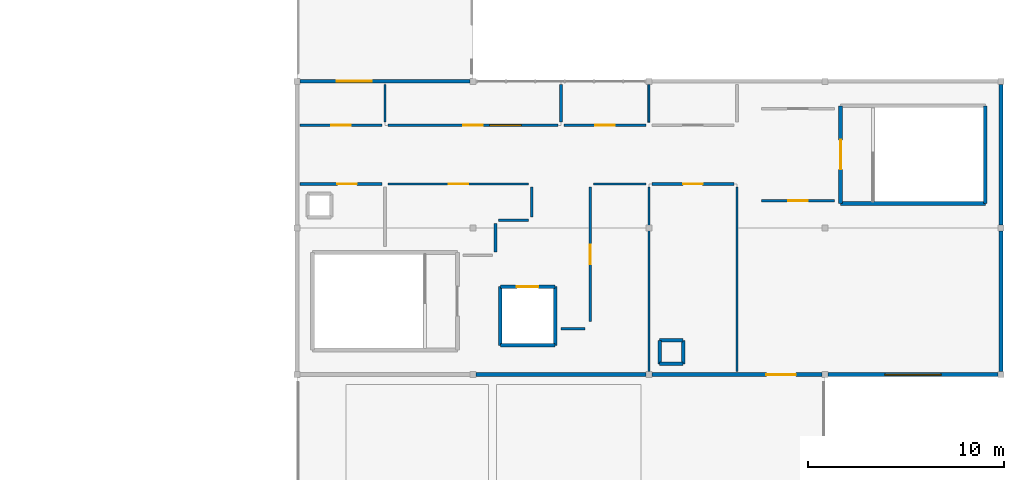
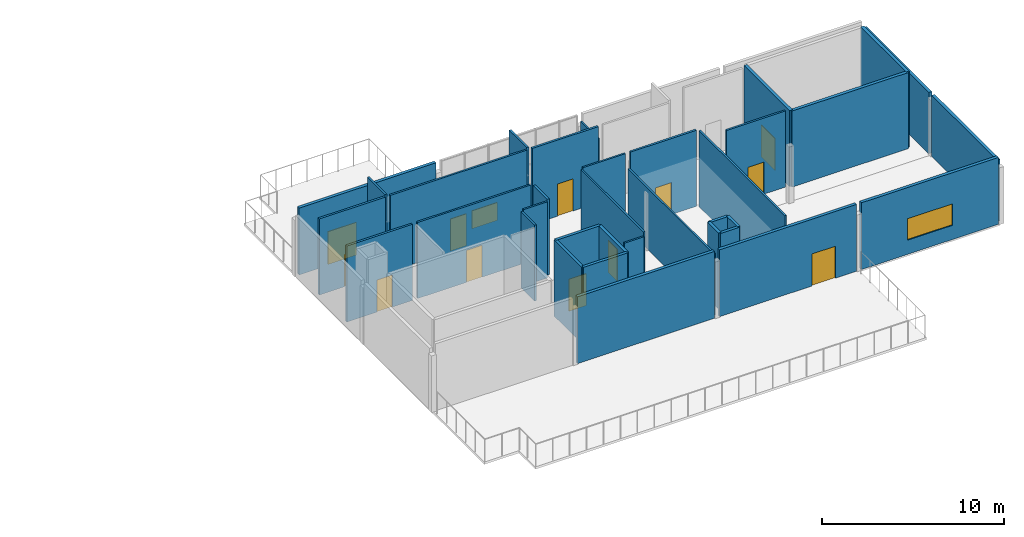
# One storey, part 6 of 8: 35 walls, 12 doors, 2 windows, 14 openings.
"""IFC4 building model written with IfcOpenShell, lengths in metres."""

from ifc_helpers import new_model, si_unit, direction, frame, frame_2d, origin, place, context, subcontext, project, spatial, rectangle, extrude, material, layer, layer_set, type_object, element, fill, save


model = new_model("IFC4")

# Units and contexts
model_context = context("Model", 3, precision=1e-05, world=origin(), true_north=direction((0.0, 1.0)))
body_context = subcontext(model_context, "Body", "Model", "MODEL_VIEW")
ifc_project = project(units=[si_unit("LENGTHUNIT", "METRE"), si_unit("AREAUNIT", "SQUARE_METRE"), si_unit("VOLUMEUNIT", "CUBIC_METRE"), si_unit("PLANEANGLEUNIT", "RADIAN"), si_unit("MASSUNIT", "GRAM", prefix="KILO")], contexts=[model_context])

# Site, building, storey
site_placement = place(None, origin())
site = spatial("IfcSite", under=ifc_project, at=site_placement, CompositionType="ELEMENT")
building_placement = place(site_placement, origin())
building = spatial("IfcBuilding", under=site, at=building_placement, Name="Marnridge Secondary College", CompositionType="ELEMENT")
storey_placement = place(building_placement, frame((0.0, 0.0, 19.89990234375)))
storey = spatial("IfcBuildingStorey", under=building, at=storey_placement, Name="L05", CompositionType="ELEMENT", Elevation=19.89990234375)

# Walls
ifc_material_1 = material(Name="Concrete C40/50 (AS 3600 N40, 40 MPa)", Category="concrete")
ifc_layer_1 = layer(ifc_material_1, 0.199951171875)
ifc_layer_set_1 = layer_set([ifc_layer_1], Name="WT-CORE-RC200")
wall_type_1 = type_object("IfcWallType", Name="WT-CORE-RC200", PredefinedType="SHEAR", material=ifc_layer_set_1)
wall_1_placement = place(storey_placement, frame((81.800048828125, 61.25, 0.0), z_axis=(0.0, 0.0, 1.0), x_axis=(1.0, 0.0, 0.0)))
element("IfcWall", 1, at=wall_1_placement, inside=storey, type_object=wall_type_1, Name="Stair core shear wall WC-L05-0293", PredefinedType="SHEAR", context=body_context, shape_type="SweptSolid", body=[
    extrude(rectangle(XDim=7.39990234375, YDim=0.199951171875, at=frame_2d((3.699951171875, 0.0))), origin(), (0.0, 0.0, 1.0), 5.10009765625),
])
wall_2_placement = place(storey_placement, frame((89.199951171875, 61.25, 0.0), z_axis=(0.0, 0.0, 1.0), x_axis=(0.0, 1.0, 0.0)))
element("IfcWall", 2, at=wall_2_placement, inside=storey, type_object=wall_type_1, Name="Stair core shear wall WC-L05-0294", PredefinedType="SHEAR", context=body_context, shape_type="SweptSolid", body=[
    extrude(rectangle(XDim=5.0, YDim=0.199951171875, at=frame_2d((2.5, 0.0))), origin(), (0.0, 0.0, 1.0), 5.10009765625),
])

# Wall, opening, door
wall_3_placement = place(storey_placement, frame((81.800048828125, 66.25, 0.0), z_axis=(0.0, 0.0, 1.0), x_axis=(0.0, -1.0, 0.0)))
wall_3 = element("IfcWall", 3, at=wall_3_placement, inside=storey, type_object=wall_type_1, Name="Stair core shear wall WC-L05-0296", PredefinedType="SHEAR", context=body_context, shape_type="SweptSolid", body=[
    extrude(rectangle(XDim=5.0, YDim=0.199951171875, at=frame_2d((2.5, 0.0))), origin(), (0.0, 0.0, 1.0), 5.10009765625),
])
opening_1_placement = place(wall_3_placement, frame((1.75, 0.0, 0.0)))
opening_1 = element("IfcOpeningElement", 4, at=opening_1_placement, cuts=wall_3, Name="Opening DC-L05-012", PredefinedType="OPENING", context=body_context, shape_type="SweptSolid", body=[
    extrude(rectangle(XDim=1.5, YDim=2.14990234375, at=frame_2d((0.75, 1.074951171875))), frame((0.0, 0.10986328125, 0.0), z_axis=(0.0, -1.0, 0.0), x_axis=(1.0, 0.0, 0.0)), (0.0, 0.0, 1.0), 0.219970703125),
])
ifc_material_2 = material(Name="Fire-rated solid-core timber doorset", Category="wood")
door_type_1 = type_object("IfcDoorType", Name="DT-CORE-FD150", OperationType="DOUBLE_DOOR_SINGLE_SWING", PredefinedType="DOOR", material=ifc_material_2)
door_1_placement = place(opening_1_placement, origin())
door_1 = element("IfcDoor", 5, at=door_1_placement, inside=storey, type_object=door_type_1, Name="Fire stair door DC-L05-012", OperationType="DOUBLE_DOOR_SINGLE_SWING", OverallHeight=2.14990234375, OverallWidth=1.5, PredefinedType="DOOR", context=body_context, shape_type="SweptSolid", body=[
    extrude(rectangle(XDim=1.5, YDim=2.14990234375, at=frame_2d((0.75, 1.074951171875))), frame((0.0, 0.02490234375, 0.0), z_axis=(0.0, -1.0, 0.0), x_axis=(1.0, 0.0, 0.0)), (0.0, 0.0, 1.0), 0.050048828125),
])
fill(opening_1, door_1)

# Wall, opening, window
ifc_material_3 = material(Name="Cross-laminated timber CL5", Category="wood")
ifc_layer_2 = layer(ifc_material_3, 0.195068359375)
ifc_layer_set_2 = layer_set([ifc_layer_2], Name="WT-EXT-CLT195")
wall_type_2 = type_object("IfcWallType", Name="WT-EXT-CLT195", PredefinedType="SOLIDWALL", material=ifc_layer_set_2)
wall_4_placement = place(storey_placement, frame((89.846435546875, 52.5, 0.0), z_axis=(0.0, 0.0, 1.0), x_axis=(-1.0, 0.0, 0.0)))
wall_4 = element("IfcWall", 6, at=wall_4_placement, inside=storey, type_object=wall_type_2, Name="Exterior wall WE-L05-0212", PredefinedType="SOLIDWALL", context=body_context, shape_type="SweptSolid", body=[
    extrude(rectangle(XDim=8.69287109375, YDim=0.195068359375, at=frame_2d((4.346435546875, 0.0))), origin(), (0.0, 0.0, 1.0), 4.48046875),
])
opening_2_placement = place(wall_4_placement, frame((2.906494140625, 0.0, 0.949951171875)))
opening_2 = element("IfcOpeningElement", 7, at=opening_2_placement, cuts=wall_4, Name="Opening WN-L05-0040", PredefinedType="OPENING", context=body_context, shape_type="SweptSolid", body=[
    extrude(rectangle(XDim=2.8798828125, YDim=1.43994140625, at=frame_2d((1.43994140625, 0.719970703125))), frame((0.0, 0.107421875, 0.0), z_axis=(0.0, -1.0, 0.0), x_axis=(1.0, 0.0, 0.0)), (0.0, 0.0, 1.0), 0.215087890625),
])
ifc_material_4 = material(Name="Solar-control low-E double glazing", Category="glass")
window_type_1 = type_object("IfcWindowType", Name="WN-EXT-V18", PartitioningType="DOUBLE_PANEL_VERTICAL", PredefinedType="WINDOW", material=ifc_material_4)
window_1_placement = place(opening_2_placement, origin())
window_1 = element("IfcWindow", 8, at=window_1_placement, inside=storey, type_object=window_type_1, Name="Facade window WN-L05-0040", OverallHeight=1.43994140625, OverallWidth=2.8798828125, PartitioningType="DOUBLE_PANEL_VERTICAL", PredefinedType="WINDOW", context=body_context, shape_type="SweptSolid", body=[
    extrude(rectangle(XDim=2.8798828125, YDim=1.43994140625, at=frame_2d((1.43994140625, 0.719970703125))), frame((0.0, 0.030029296875, 0.0), z_axis=(0.0, -1.0, 0.0), x_axis=(1.0, 0.0, 0.0)), (0.0, 0.0, 1.0), 0.06005859375),
])
fill(opening_2, window_1)

# Wall, opening, door
wall_5_placement = place(storey_placement, frame((80.846435546875, 52.5, 0.0), z_axis=(0.0, 0.0, 1.0), x_axis=(-1.0, 0.0, 0.0)))
wall_5 = element("IfcWall", 9, at=wall_5_placement, inside=storey, type_object=wall_type_2, Name="Exterior wall WE-L05-0213", PredefinedType="SOLIDWALL", context=body_context, shape_type="SweptSolid", body=[
    extrude(rectangle(XDim=8.69287109375, YDim=0.195068359375, at=frame_2d((4.346435546875, 0.0))), origin(), (0.0, 0.0, 1.0), 4.48046875),
])
opening_3_placement = place(wall_5_placement, frame((1.336181640625, 0.0, 0.0)))
opening_3 = element("IfcOpeningElement", 10, at=opening_3_placement, cuts=wall_5, Name="Opening DE-L05-046", PredefinedType="OPENING", context=body_context, shape_type="SweptSolid", body=[
    extrude(rectangle(XDim=1.5, YDim=2.14990234375, at=frame_2d((0.75, 1.074951171875))), frame((0.0, 0.107421875, 0.0), z_axis=(0.0, -1.0, 0.0), x_axis=(1.0, 0.0, 0.0)), (0.0, 0.0, 1.0), 0.215087890625),
])
ifc_material_5 = material(Name="Thermally broken timber-aluminium terrace doorset", Category="wood")
door_type_2 = type_object("IfcDoorType", Name="DT-EXT-TER150", OperationType="DOUBLE_DOOR_SINGLE_SWING", PredefinedType="DOOR", material=ifc_material_5)
door_2_placement = place(opening_3_placement, origin())
door_2 = element("IfcDoor", 11, at=door_2_placement, inside=storey, type_object=door_type_2, Name="Play deck access door DE-L05-046", OperationType="DOUBLE_DOOR_SINGLE_SWING", OverallHeight=2.14990234375, OverallWidth=1.5, PredefinedType="DOOR", context=body_context, shape_type="SweptSolid", body=[
    extrude(rectangle(XDim=1.5, YDim=2.14990234375, at=frame_2d((0.75, 1.074951171875))), frame((0.0, 0.02490234375, 0.0), z_axis=(0.0, -1.0, 0.0), x_axis=(1.0, 0.0, 0.0)), (0.0, 0.0, 1.0), 0.050048828125),
])
fill(opening_3, door_2)

# Wall
wall_6_placement = place(storey_placement, frame((71.846435546875, 52.5, 0.0), z_axis=(0.0, 0.0, 1.0), x_axis=(-1.0, 0.0, 0.0)))
element("IfcWall", 12, at=wall_6_placement, inside=storey, type_object=wall_type_2, Name="Exterior wall WE-L05-0214", PredefinedType="SOLIDWALL", context=body_context, shape_type="SweptSolid", body=[
    extrude(rectangle(XDim=8.69287109375, YDim=0.195068359375, at=frame_2d((4.346435546875, 0.0))), origin(), (0.0, 0.0, 1.0), 4.48046875),
])

# Wall, opening, door
wall_7_placement = place(storey_placement, frame((54.153564453125, 67.5, 0.0), z_axis=(0.0, 0.0, 1.0), x_axis=(1.0, 0.0, 0.0)))
wall_7 = element("IfcWall", 13, at=wall_7_placement, inside=storey, type_object=wall_type_2, Name="Exterior wall WE-L05-0218", PredefinedType="SOLIDWALL", context=body_context, shape_type="SweptSolid", body=[
    extrude(rectangle(XDim=8.69287109375, YDim=0.195068359375, at=frame_2d((4.346435546875, 0.0))), origin(), (0.0, 0.0, 1.0), 4.48046875),
])
opening_4_placement = place(wall_7_placement, frame((1.8818359375, 0.0, 0.0)))
opening_4 = element("IfcOpeningElement", 14, at=opening_4_placement, cuts=wall_7, Name="Opening DE-L05-047", PredefinedType="OPENING", context=body_context, shape_type="SweptSolid", body=[
    extrude(rectangle(XDim=1.800048828125, YDim=2.199951171875, at=frame_2d((0.89990234375, 1.10009765625))), frame((0.0, 0.107421875, 0.0), z_axis=(0.0, -1.0, 0.0), x_axis=(1.0, 0.0, 0.0)), (0.0, 0.0, 1.0), 0.215087890625),
])
ifc_material_6 = material(Name="Thermally broken timber-aluminium terrace doorset", Category="wood")
door_type_3 = type_object("IfcDoorType", Name="DT-EXT-TER180", OperationType="DOUBLE_DOOR_SINGLE_SWING", PredefinedType="DOOR", material=ifc_material_6)
door_3_placement = place(opening_4_placement, origin())
door_3 = element("IfcDoor", 15, at=door_3_placement, inside=storey, type_object=door_type_3, Name="Play deck access door DE-L05-047", OperationType="DOUBLE_DOOR_SINGLE_SWING", OverallHeight=2.199951171875, OverallWidth=1.800048828125, PredefinedType="DOOR", context=body_context, shape_type="SweptSolid", body=[
    extrude(rectangle(XDim=1.800048828125, YDim=2.199951171875, at=frame_2d((0.89990234375, 1.10009765625))), frame((0.0, 0.02490234375, 0.0), z_axis=(0.0, -1.0, 0.0), x_axis=(1.0, 0.0, 0.0)), (0.0, 0.0, 1.0), 0.050048828125),
])
fill(opening_4, door_3)

# Walls
for number, where, z_axis, x_axis, name in (
    (16, (90.0, 67.346435546875, 0.0), (0.0, 0.0, 1.0), (0.0, -1.0, 0.0), "Exterior wall WE-L05-0221"),
    (17, (90.0, 59.846435546875, 0.0), (0.0, 0.0, 1.0), (0.0, -1.0, 0.0), "Exterior wall WE-L05-0222"),
):
    element("IfcWall", number, at=place(storey_placement, frame(where, z_axis=z_axis, x_axis=x_axis)), inside=storey, type_object=wall_type_2, Name=name, PredefinedType="SOLIDWALL", context=body_context, shape_type="SweptSolid", body=[
        extrude(rectangle(XDim=7.19287109375, YDim=0.195068359375, at=frame_2d((3.596435546875, 0.0))), origin(), (0.0, 0.0, 1.0), 4.112060546875),
    ])

# Wall, opening, door
ifc_material_7 = material(Name="Acoustic plasterboard partition Rw45", Category="gypsum")
ifc_layer_3 = layer(ifc_material_7, 0.1201171875)
ifc_layer_set_3 = layer_set([ifc_layer_3], Name="WT-PART-AC120")
wall_type_3 = type_object("IfcWallType", Name="WT-PART-AC120", PredefinedType="PARTITIONING", material=ifc_layer_set_3)
wall_8_placement = place(storey_placement, frame((81.5, 61.39990234375, 0.0), z_axis=(0.0, 0.0, 1.0), x_axis=(-1.0, 0.0, 0.0)))
wall_8 = element("IfcWall", 18, at=wall_8_placement, inside=storey, type_object=wall_type_3, Name="Interior partition WP-L05-0467", PredefinedType="PARTITIONING", context=body_context, shape_type="SweptSolid", body=[
    extrude(rectangle(XDim=3.739990234375, YDim=0.1201171875, at=frame_2d((1.8701171875, 0.0))), origin(), (0.0, 0.0, 1.0), 5.10009765625),
])
opening_5_placement = place(wall_8_placement, frame((1.3701171875, 0.0, 0.0)))
opening_5 = element("IfcOpeningElement", 19, at=opening_5_placement, cuts=wall_8, Name="Opening DI-L05-0172", PredefinedType="OPENING", context=body_context, shape_type="SweptSolid", body=[
    extrude(rectangle(XDim=1.0, YDim=2.14990234375, at=frame_2d((0.5, 1.074951171875))), frame((0.0, 0.070068359375, 0.0), z_axis=(0.0, -1.0, 0.0), x_axis=(1.0, 0.0, 0.0)), (0.0, 0.0, 1.0), 0.14013671875),
])
ifc_material_8 = material(Name="Solid-core acoustic hoop-pine classroom doorset", Category="wood")
door_type_4 = type_object("IfcDoorType", Name="DT-CLS-100", OperationType="NOTDEFINED", PredefinedType="DOOR", material=ifc_material_8)
door_4_placement = place(opening_5_placement, origin())
door_4 = element("IfcDoor", 20, at=door_4_placement, inside=storey, type_object=door_type_4, Name="Interior door DI-L05-0172", OperationType="SINGLE_SWING_RIGHT", OverallHeight=2.14990234375, OverallWidth=1.0, PredefinedType="DOOR", context=body_context, shape_type="SweptSolid", body=[
    extrude(rectangle(XDim=1.0, YDim=2.14990234375, at=frame_2d((0.5, 1.074951171875))), frame((0.0, 0.02490234375, 0.0), z_axis=(0.0, -1.0, 0.0), x_axis=(1.0, 0.0, 0.0)), (0.0, 0.0, 1.0), 0.050048828125),
])
fill(opening_5, door_4)

# Wall
wall_9_placement = place(storey_placement, frame((64.31005859375, 60.39990234375, 0.0), z_axis=(0.0, 0.0, 1.0), x_axis=(1.0, 0.0, 0.0)))
element("IfcWall", 21, at=wall_9_placement, inside=storey, type_object=wall_type_3, Name="Interior partition WP-L05-0471", PredefinedType="PARTITIONING", context=body_context, shape_type="SweptSolid", body=[
    extrude(rectangle(XDim=1.530029296875, YDim=0.1201171875, at=frame_2d((0.76513671875, 0.0))), origin(), (0.0, 0.0, 1.0), 5.10009765625),
])

# Wall, opening, door
wall_10_placement = place(storey_placement, frame((65.840087890625, 62.25, 0.0), z_axis=(0.0, 0.0, 1.0), x_axis=(-1.0, 0.0, 0.0)))
wall_10 = element("IfcWall", 22, at=wall_10_placement, inside=storey, type_object=wall_type_3, Name="Interior partition WP-L05-0473", PredefinedType="PARTITIONING", context=body_context, shape_type="SweptSolid", body=[
    extrude(rectangle(XDim=7.18017578125, YDim=0.1201171875, at=frame_2d((3.590087890625, 0.0))), origin(), (0.0, 0.0, 1.0), 5.10009765625),
])
opening_6_placement = place(wall_10_placement, frame((3.090087890625, 0.0, 0.0)))
opening_6 = element("IfcOpeningElement", 23, at=opening_6_placement, cuts=wall_10, Name="Opening DI-L05-0174", PredefinedType="OPENING", context=body_context, shape_type="SweptSolid", body=[
    extrude(rectangle(XDim=1.0, YDim=2.14990234375, at=frame_2d((0.5, 1.074951171875))), frame((0.0, 0.070068359375, 0.0), z_axis=(0.0, -1.0, 0.0), x_axis=(1.0, 0.0, 0.0)), (0.0, 0.0, 1.0), 0.14013671875),
])
door_5_placement = place(opening_6_placement, origin())
door_5 = element("IfcDoor", 24, at=door_5_placement, inside=storey, type_object=door_type_4, Name="Interior door DI-L05-0174", OperationType="SINGLE_SWING_RIGHT", OverallHeight=2.14990234375, OverallWidth=1.0, PredefinedType="DOOR", context=body_context, shape_type="SweptSolid", body=[
    extrude(rectangle(XDim=1.0, YDim=2.14990234375, at=frame_2d((0.5, 1.074951171875))), frame((0.0, 0.02490234375, 0.0), z_axis=(0.0, -1.0, 0.0), x_axis=(1.0, 0.0, 0.0)), (0.0, 0.0, 1.0), 0.050048828125),
])
fill(opening_6, door_5)

# Wall, openings, door, window
wall_11_placement = place(storey_placement, frame((58.659912109375, 65.25, 0.0), z_axis=(0.0, 0.0, 1.0), x_axis=(1.0, 0.0, 0.0)))
wall_11 = element("IfcWall", 25, at=wall_11_placement, inside=storey, type_object=wall_type_3, Name="Interior partition WP-L05-0475", PredefinedType="PARTITIONING", context=body_context, shape_type="SweptSolid", body=[
    extrude(rectangle(XDim=8.68017578125, YDim=0.1201171875, at=frame_2d((4.340087890625, 0.0))), origin(), (0.0, 0.0, 1.0), 5.10009765625),
])
opening_7_placement = place(wall_11_placement, frame((3.840087890625, 0.0, 0.0)))
opening_7 = element("IfcOpeningElement", 26, at=opening_7_placement, cuts=wall_11, Name="Opening DI-L05-0176", PredefinedType="OPENING", context=body_context, shape_type="SweptSolid", body=[
    extrude(rectangle(XDim=1.0, YDim=2.14990234375, at=frame_2d((0.5, 1.074951171875))), frame((0.0, 0.070068359375, 0.0), z_axis=(0.0, -1.0, 0.0), x_axis=(1.0, 0.0, 0.0)), (0.0, 0.0, 1.0), 0.14013671875),
])
opening_8_placement = place(wall_11_placement, frame((5.18994140625, 0.0, 1.02001953125)))
opening_8 = element("IfcOpeningElement", 27, at=opening_8_placement, cuts=wall_11, Name="Opening WNI-L05-044", PredefinedType="OPENING", context=body_context, shape_type="SweptSolid", body=[
    extrude(rectangle(XDim=1.6201171875, YDim=1.199951171875, at=frame_2d((0.81005859375, 0.60009765625))), frame((0.0, 0.070068359375, 0.0), z_axis=(0.0, -1.0, 0.0), x_axis=(1.0, 0.0, 0.0)), (0.0, 0.0, 1.0), 0.14013671875),
])
door_6_placement = place(opening_7_placement, origin())
door_6 = element("IfcDoor", 28, at=door_6_placement, inside=storey, type_object=door_type_4, Name="Interior door DI-L05-0176", OperationType="SINGLE_SWING_RIGHT", OverallHeight=2.14990234375, OverallWidth=1.0, PredefinedType="DOOR", context=body_context, shape_type="SweptSolid", body=[
    extrude(rectangle(XDim=1.0, YDim=2.14990234375, at=frame_2d((0.5, 1.074951171875))), frame((0.0, 0.02490234375, 0.0), z_axis=(0.0, -1.0, 0.0), x_axis=(1.0, 0.0, 0.0)), (0.0, 0.0, 1.0), 0.050048828125),
])
fill(opening_7, door_6)
ifc_material_9 = material(Name="Acoustic laminated interior vision glazing", Category="glass")
window_type_2 = type_object("IfcWindowType", Name="WN-BL-VAR08", PartitioningType="DOUBLE_PANEL_VERTICAL", PredefinedType="WINDOW", material=ifc_material_9)
window_2_placement = place(opening_8_placement, origin())
window_2 = element("IfcWindow", 29, at=window_2_placement, inside=storey, type_object=window_type_2, Name="Interior vision window WNI-L05-044", OverallHeight=1.199951171875, OverallWidth=1.6201171875, PartitioningType="DOUBLE_PANEL_VERTICAL", PredefinedType="WINDOW", context=body_context, shape_type="SweptSolid", body=[
    extrude(rectangle(XDim=1.6201171875, YDim=1.199951171875, at=frame_2d((0.81005859375, 0.60009765625))), frame((0.0, 0.030029296875, 0.0), z_axis=(0.0, -1.0, 0.0), x_axis=(1.0, 0.0, 0.0)), (0.0, 0.0, 1.0), 0.06005859375),
])
fill(opening_8, window_2)

# Walls
wall_12_placement = place(storey_placement, frame((76.5, 52.659912109375, 0.0), z_axis=(0.0, 0.0, 1.0), x_axis=(0.0, 1.0, 0.0)))
element("IfcWall", 30, at=wall_12_placement, inside=storey, type_object=wall_type_3, Name="Interior partition WP-L05-0479", PredefinedType="PARTITIONING", context=body_context, shape_type="SweptSolid", body=[
    extrude(rectangle(XDim=9.43017578125, YDim=0.1201171875, at=frame_2d((4.715087890625, 0.0))), origin(), (0.0, 0.0, 1.0), 5.10009765625),
])
wall_13_placement = place(storey_placement, frame((58.5, 65.409912109375, 0.0), z_axis=(0.0, 0.0, 1.0), x_axis=(0.0, 1.0, 0.0)))
element("IfcWall", 31, at=wall_13_placement, inside=storey, type_object=wall_type_3, Name="Interior partition WP-L05-0481", PredefinedType="PARTITIONING", context=body_context, shape_type="SweptSolid", body=[
    extrude(rectangle(XDim=1.93017578125, YDim=0.1201171875, at=frame_2d((0.965087890625, 0.0))), origin(), (0.0, 0.0, 1.0), 5.10009765625),
])

# Wall, opening, door
ifc_material_10 = material(Name="Acoustic plasterboard partition Rw48", Category="gypsum")
ifc_layer_4 = layer(ifc_material_10, 0.135009765625)
ifc_layer_set_4 = layer_set([ifc_layer_4], Name="WT-PART-AC135")
wall_type_4 = type_object("IfcWallType", Name="WT-PART-AC135", PredefinedType="PARTITIONING", material=ifc_layer_set_4)
wall_14_placement = place(storey_placement, frame((76.340087890625, 62.25, 0.0), z_axis=(0.0, 0.0, 1.0), x_axis=(-1.0, 0.0, 0.0)))
wall_14 = element("IfcWall", 32, at=wall_14_placement, inside=storey, type_object=wall_type_4, Name="Interior partition WP-L05-0466", PredefinedType="PARTITIONING", context=body_context, shape_type="SweptSolid", body=[
    extrude(rectangle(XDim=4.18017578125, YDim=0.135009765625, at=frame_2d((2.090087890625, 0.0))), origin(), (0.0, 0.0, 1.0), 5.10009765625),
])
opening_9_placement = place(wall_14_placement, frame((1.590087890625, 0.0, 0.0)))
opening_9 = element("IfcOpeningElement", 33, at=opening_9_placement, cuts=wall_14, Name="Opening DI-L05-0171", PredefinedType="OPENING", context=body_context, shape_type="SweptSolid", body=[
    extrude(rectangle(XDim=1.0, YDim=2.14990234375, at=frame_2d((0.5, 1.074951171875))), frame((0.0, 0.077392578125, 0.0), z_axis=(0.0, -1.0, 0.0), x_axis=(1.0, 0.0, 0.0)), (0.0, 0.0, 1.0), 0.155029296875),
])
door_7_placement = place(opening_9_placement, origin())
door_7 = element("IfcDoor", 34, at=door_7_placement, inside=storey, type_object=door_type_4, Name="Interior door DI-L05-0171", OperationType="SINGLE_SWING_LEFT", OverallHeight=2.14990234375, OverallWidth=1.0, PredefinedType="DOOR", context=body_context, shape_type="SweptSolid", body=[
    extrude(rectangle(XDim=1.0, YDim=2.14990234375, at=frame_2d((0.5, 1.074951171875))), frame((0.0, 0.02490234375, 0.0), z_axis=(0.0, -1.0, 0.0), x_axis=(1.0, 0.0, 0.0)), (0.0, 0.0, 1.0), 0.050048828125),
])
fill(opening_9, door_7)

wall_15_placement = place(storey_placement, frame((58.340087890625, 62.25, 0.0), z_axis=(0.0, 0.0, 1.0), x_axis=(-1.0, 0.0, 0.0)))
wall_15 = element("IfcWall", 35, at=wall_15_placement, inside=storey, type_object=wall_type_4, Name="Interior partition WP-L05-0468", PredefinedType="PARTITIONING", context=body_context, shape_type="SweptSolid", body=[
    extrude(rectangle(XDim=4.18017578125, YDim=0.135009765625, at=frame_2d((2.090087890625, 0.0))), origin(), (0.0, 0.0, 1.0), 5.10009765625),
])
opening_10_placement = place(wall_15_placement, frame((1.27197265625, 0.0, 0.0)))
opening_10 = element("IfcOpeningElement", 36, at=opening_10_placement, cuts=wall_15, Name="Opening DI-L05-0173", PredefinedType="OPENING", context=body_context, shape_type="SweptSolid", body=[
    extrude(rectangle(XDim=1.0, YDim=2.14990234375, at=frame_2d((0.5, 1.074951171875))), frame((0.0, 0.077392578125, 0.0), z_axis=(0.0, -1.0, 0.0), x_axis=(1.0, 0.0, 0.0)), (0.0, 0.0, 1.0), 0.155029296875),
])
door_8_placement = place(opening_10_placement, origin())
door_8 = element("IfcDoor", 37, at=door_8_placement, inside=storey, type_object=door_type_4, Name="Interior door DI-L05-0173", OperationType="SINGLE_SWING_LEFT", OverallHeight=2.14990234375, OverallWidth=1.0, PredefinedType="DOOR", context=body_context, shape_type="SweptSolid", body=[
    extrude(rectangle(XDim=1.0, YDim=2.14990234375, at=frame_2d((0.5, 1.074951171875))), frame((0.0, 0.02490234375, 0.0), z_axis=(0.0, -1.0, 0.0), x_axis=(1.0, 0.0, 0.0)), (0.0, 0.0, 1.0), 0.050048828125),
])
fill(opening_10, door_8)

# Walls
wall_16_placement = place(storey_placement, frame((64.14990234375, 58.760009765625, 0.0), z_axis=(0.0, 0.0, 1.0), x_axis=(0.0, 1.0, 0.0)))
element("IfcWall", 38, at=wall_16_placement, inside=storey, type_object=wall_type_4, Name="Interior partition WP-L05-0470", PredefinedType="PARTITIONING", context=body_context, shape_type="SweptSolid", body=[
    extrude(rectangle(XDim=1.47998046875, YDim=0.135009765625, at=frame_2d((0.739990234375, 0.0))), origin(), (0.0, 0.0, 1.0), 5.10009765625),
])
wall_17_placement = place(storey_placement, frame((66.0, 60.56005859375, 0.0), z_axis=(0.0, 0.0, 1.0), x_axis=(0.0, 1.0, 0.0)))
element("IfcWall", 39, at=wall_17_placement, inside=storey, type_object=wall_type_4, Name="Interior partition WP-L05-0472", PredefinedType="PARTITIONING", context=body_context, shape_type="SweptSolid", body=[
    extrude(rectangle(XDim=1.530029296875, YDim=0.135009765625, at=frame_2d((0.76513671875, 0.0))), origin(), (0.0, 0.0, 1.0), 5.10009765625),
])

# Wall, opening, door
wall_18_placement = place(storey_placement, frame((54.159912109375, 65.25, 0.0), z_axis=(0.0, 0.0, 1.0), x_axis=(1.0, 0.0, 0.0)))
wall_18 = element("IfcWall", 40, at=wall_18_placement, inside=storey, type_object=wall_type_4, Name="Interior partition WP-L05-0474", PredefinedType="PARTITIONING", context=body_context, shape_type="SweptSolid", body=[
    extrude(rectangle(XDim=4.18017578125, YDim=0.135009765625, at=frame_2d((2.090087890625, 0.0))), origin(), (0.0, 0.0, 1.0), 5.10009765625),
])
opening_11_placement = place(wall_18_placement, frame((1.590087890625, 0.0, 0.0)))
opening_11 = element("IfcOpeningElement", 41, at=opening_11_placement, cuts=wall_18, Name="Opening DI-L05-0175", PredefinedType="OPENING", context=body_context, shape_type="SweptSolid", body=[
    extrude(rectangle(XDim=1.0, YDim=2.14990234375, at=frame_2d((0.5, 1.074951171875))), frame((0.0, 0.077392578125, 0.0), z_axis=(0.0, -1.0, 0.0), x_axis=(1.0, 0.0, 0.0)), (0.0, 0.0, 1.0), 0.155029296875),
])
door_9_placement = place(opening_11_placement, origin())
door_9 = element("IfcDoor", 42, at=door_9_placement, inside=storey, type_object=door_type_4, Name="Interior door DI-L05-0175", OperationType="SINGLE_SWING_LEFT", OverallHeight=2.14990234375, OverallWidth=1.0, PredefinedType="DOOR", context=body_context, shape_type="SweptSolid", body=[
    extrude(rectangle(XDim=1.0, YDim=2.14990234375, at=frame_2d((0.5, 1.074951171875))), frame((0.0, 0.02490234375, 0.0), z_axis=(0.0, -1.0, 0.0), x_axis=(1.0, 0.0, 0.0)), (0.0, 0.0, 1.0), 0.050048828125),
])
fill(opening_11, door_9)

wall_19_placement = place(storey_placement, frame((67.659912109375, 65.25, 0.0), z_axis=(0.0, 0.0, 1.0), x_axis=(1.0, 0.0, 0.0)))
wall_19 = element("IfcWall", 43, at=wall_19_placement, inside=storey, type_object=wall_type_4, Name="Interior partition WP-L05-0476", PredefinedType="PARTITIONING", context=body_context, shape_type="SweptSolid", body=[
    extrude(rectangle(XDim=4.18017578125, YDim=0.135009765625, at=frame_2d((2.090087890625, 0.0))), origin(), (0.0, 0.0, 1.0), 5.10009765625),
])
opening_12_placement = place(wall_19_placement, frame((1.590087890625, 0.0, 0.0)))
opening_12 = element("IfcOpeningElement", 44, at=opening_12_placement, cuts=wall_19, Name="Opening DI-L05-0177", PredefinedType="OPENING", context=body_context, shape_type="SweptSolid", body=[
    extrude(rectangle(XDim=1.0, YDim=2.14990234375, at=frame_2d((0.5, 1.074951171875))), frame((0.0, 0.077392578125, 0.0), z_axis=(0.0, -1.0, 0.0), x_axis=(1.0, 0.0, 0.0)), (0.0, 0.0, 1.0), 0.155029296875),
])
door_10_placement = place(opening_12_placement, origin())
door_10 = element("IfcDoor", 45, at=door_10_placement, inside=storey, type_object=door_type_4, Name="Interior door DI-L05-0177", OperationType="SINGLE_SWING_LEFT", OverallHeight=2.14990234375, OverallWidth=1.0, PredefinedType="DOOR", context=body_context, shape_type="SweptSolid", body=[
    extrude(rectangle(XDim=1.0, YDim=2.14990234375, at=frame_2d((0.5, 1.074951171875))), frame((0.0, 0.02490234375, 0.0), z_axis=(0.0, -1.0, 0.0), x_axis=(1.0, 0.0, 0.0)), (0.0, 0.0, 1.0), 0.050048828125),
])
fill(opening_12, door_10)

# Walls
wall_20_placement = place(storey_placement, frame((67.5, 65.409912109375, 0.0), z_axis=(0.0, 0.0, 1.0), x_axis=(0.0, 1.0, 0.0)))
element("IfcWall", 46, at=wall_20_placement, inside=storey, type_object=wall_type_4, Name="Interior partition WP-L05-0482", PredefinedType="PARTITIONING", context=body_context, shape_type="SweptSolid", body=[
    extrude(rectangle(XDim=1.93017578125, YDim=0.135009765625, at=frame_2d((0.965087890625, 0.0))), origin(), (0.0, 0.0, 1.0), 5.10009765625),
])
ifc_material_11 = material(Name="Acoustic glazed studio partition system", Category="gypsum")
ifc_layer_5 = layer(ifc_material_11, 0.10009765625)
ifc_layer_set_5 = layer_set([ifc_layer_5], Name="WT-PART-GL100")
wall_type_5 = type_object("IfcWallType", Name="WT-PART-GL100", PredefinedType="PARTITIONING", material=ifc_layer_set_5)
wall_21_placement = place(storey_placement, frame((72.0, 65.409912109375, 0.0), z_axis=(0.0, 0.0, 1.0), x_axis=(0.0, 1.0, 0.0)))
element("IfcWall", 47, at=wall_21_placement, inside=storey, type_object=wall_type_5, Name="Interior partition WP-L05-0483", PredefinedType="PARTITIONING", context=body_context, shape_type="SweptSolid", body=[
    extrude(rectangle(XDim=1.93017578125, YDim=0.10009765625, at=frame_2d((0.965087890625, 0.0))), origin(), (0.0, 0.0, 1.0), 4.112060546875),
])
ifc_material_12 = material(Name="Moisture-resistant plasterboard sanitary partition", Category="gypsum")
ifc_layer_6 = layer(ifc_material_12, 0.110107421875)
ifc_layer_set_6 = layer_set([ifc_layer_6], Name="WT-PART-WT110")
wall_type_6 = type_object("IfcWallType", Name="WT-PART-WT110", PredefinedType="PARTITIONING", material=ifc_layer_set_6)
wall_22_placement = place(storey_placement, frame((68.739990234375, 54.85009765625, 0.0), z_axis=(0.0, 0.0, 1.0), x_axis=(-1.0, 0.0, 0.0)))
element("IfcWall", 48, at=wall_22_placement, inside=storey, type_object=wall_type_6, Name="Interior partition WP-L05-0462", PredefinedType="PARTITIONING", context=body_context, shape_type="SweptSolid", body=[
    extrude(rectangle(XDim=1.239990234375, YDim=0.110107421875, at=frame_2d((0.6201171875, 0.0))), origin(), (0.0, 0.0, 1.0), 5.10009765625),
])

# Wall, opening, door
wall_23_placement = place(storey_placement, frame((69.0, 62.090087890625, 0.0), z_axis=(0.0, 0.0, 1.0), x_axis=(0.0, -1.0, 0.0)))
wall_23 = element("IfcWall", 49, at=wall_23_placement, inside=storey, type_object=wall_type_6, Name="Interior partition WP-L05-0463", PredefinedType="PARTITIONING", context=body_context, shape_type="SweptSolid", body=[
    extrude(rectangle(XDim=6.880126953125, YDim=0.110107421875, at=frame_2d((3.43994140625, 0.0))), origin(), (0.0, 0.0, 1.0), 5.10009765625),
])
opening_13_placement = place(wall_23_placement, frame((2.93994140625, 0.0, 0.0)))
opening_13 = element("IfcOpeningElement", 50, at=opening_13_placement, cuts=wall_23, Name="Opening DI-L05-0170", PredefinedType="OPENING", context=body_context, shape_type="SweptSolid", body=[
    extrude(rectangle(XDim=1.0, YDim=2.14990234375, at=frame_2d((0.5, 1.074951171875))), frame((0.0, 0.06494140625, 0.0), z_axis=(0.0, -1.0, 0.0), x_axis=(1.0, 0.0, 0.0)), (0.0, 0.0, 1.0), 0.130126953125),
])
door_11_placement = place(opening_13_placement, origin())
door_11 = element("IfcDoor", 51, at=door_11_placement, inside=storey, type_object=door_type_4, Name="Interior door DI-L05-0170", OperationType="SINGLE_SWING_RIGHT", OverallHeight=2.14990234375, OverallWidth=1.0, PredefinedType="DOOR", context=body_context, shape_type="SweptSolid", body=[
    extrude(rectangle(XDim=1.0, YDim=2.14990234375, at=frame_2d((0.5, 1.074951171875))), frame((0.0, 0.02490234375, 0.0), z_axis=(0.0, -1.0, 0.0), x_axis=(1.0, 0.0, 0.0)), (0.0, 0.0, 1.0), 0.050048828125),
])
fill(opening_13, door_11)

# Walls
wall_24_placement = place(storey_placement, frame((71.840087890625, 62.25, 0.0), z_axis=(0.0, 0.0, 1.0), x_axis=(-1.0, 0.0, 0.0)))
element("IfcWall", 52, at=wall_24_placement, inside=storey, type_object=wall_type_6, Name="Interior partition WP-L05-0464", PredefinedType="PARTITIONING", context=body_context, shape_type="SweptSolid", body=[
    extrude(rectangle(XDim=2.68017578125, YDim=0.110107421875, at=frame_2d((1.340087890625, 0.0))), origin(), (0.0, 0.0, 1.0), 5.10009765625),
])
wall_25_placement = place(storey_placement, frame((72.0, 52.659912109375, 0.0), z_axis=(0.0, 0.0, 1.0), x_axis=(0.0, 1.0, 0.0)))
element("IfcWall", 53, at=wall_25_placement, inside=storey, type_object=wall_type_6, Name="Interior partition WP-L05-0465", PredefinedType="PARTITIONING", context=body_context, shape_type="SweptSolid", body=[
    extrude(rectangle(XDim=9.43017578125, YDim=0.110107421875, at=frame_2d((4.715087890625, 0.0))), origin(), (0.0, 0.0, 1.0), 4.112060546875),
])
ifc_material_13 = material(Name="Concrete C40/50 (AS 3600 N40, 40 MPa)", Category="concrete")
ifc_layer_7 = layer(ifc_material_13, 0.179931640625)
ifc_layer_set_7 = layer_set([ifc_layer_7], Name="WT-SHAFT-RC180")
wall_type_7 = type_object("IfcWallType", Name="WT-SHAFT-RC180", PredefinedType="SHEAR", material=ifc_layer_set_7)
for number, where, z_axis, x_axis, name in (
    (54, (73.75, 53.050048828125, 0.0), (0.0, 0.0, 1.0), (-1.0, 0.0, 0.0), "Service riser shaft wall WR-L05-0241"),
    (55, (72.550048828125, 53.050048828125, 0.0), (0.0, 0.0, 1.0), (0.0, 1.0, 0.0), "Service riser shaft wall WR-L05-0242"),
    (56, (72.550048828125, 54.25, 0.0), (0.0, 0.0, 1.0), (1.0, 0.0, 0.0), "Service riser shaft wall WR-L05-0243"),
    (57, (73.75, 54.25, 0.0), (0.0, 0.0, 1.0), (0.0, -1.0, 0.0), "Service riser shaft wall WR-L05-0244"),
):
    element("IfcWall", number, at=place(storey_placement, frame(where, z_axis=z_axis, x_axis=x_axis)), inside=storey, type_object=wall_type_7, Name=name, PredefinedType="SHEAR", context=body_context, shape_type="SweptSolid", body=[
        extrude(rectangle(XDim=1.199951171875, YDim=0.179931640625, at=frame_2d((0.60009765625, 0.0))), origin(), (0.0, 0.0, 1.0), 5.10009765625),
    ])
wall_26_placement = place(storey_placement, frame((67.199951171875, 54.0, 0.0), z_axis=(0.0, 0.0, 1.0), x_axis=(-1.0, 0.0, 0.0)))
element("IfcWall", 58, at=wall_26_placement, inside=storey, type_object=wall_type_7, Name="Lift shaft wall WL-L05-0429", PredefinedType="SHEAR", context=body_context, shape_type="SweptSolid", body=[
    extrude(rectangle(XDim=2.800048828125, YDim=0.179931640625, at=frame_2d((1.39990234375, 0.0))), origin(), (0.0, 0.0, 1.0), 5.10009765625),
])
wall_27_placement = place(storey_placement, frame((64.39990234375, 54.0, 0.0), z_axis=(0.0, 0.0, 1.0), x_axis=(0.0, 1.0, 0.0)))
element("IfcWall", 59, at=wall_27_placement, inside=storey, type_object=wall_type_7, Name="Lift shaft wall WL-L05-0430", PredefinedType="SHEAR", context=body_context, shape_type="SweptSolid", body=[
    extrude(rectangle(XDim=3.0, YDim=0.179931640625, at=frame_2d((1.5, 0.0))), origin(), (0.0, 0.0, 1.0), 5.10009765625),
])

# Wall, opening, door
wall_28_placement = place(storey_placement, frame((64.39990234375, 57.0, 0.0), z_axis=(0.0, 0.0, 1.0), x_axis=(1.0, 0.0, 0.0)))
wall_28 = element("IfcWall", 60, at=wall_28_placement, inside=storey, type_object=wall_type_7, Name="Lift shaft wall WL-L05-0431", PredefinedType="SHEAR", context=body_context, shape_type="SweptSolid", body=[
    extrude(rectangle(XDim=2.800048828125, YDim=0.179931640625, at=frame_2d((1.39990234375, 0.0))), origin(), (0.0, 0.0, 1.0), 5.10009765625),
])
opening_14_placement = place(wall_28_placement, frame((0.85009765625, 0.0, 0.0)))
opening_14 = element("IfcOpeningElement", 61, at=opening_14_placement, cuts=wall_28, Name="Opening LD-LC-01-L05", PredefinedType="OPENING", context=body_context, shape_type="SweptSolid", body=[
    extrude(rectangle(XDim=1.10009765625, YDim=2.14990234375, at=frame_2d((0.550048828125, 1.074951171875))), frame((0.0, 0.099853515625, 0.0), z_axis=(0.0, -1.0, 0.0), x_axis=(1.0, 0.0, 0.0)), (0.0, 0.0, 1.0), 0.199951171875),
])
ifc_material_14 = material(Name="Stainless steel Grade 350 automatic sliding lift landing doorset", Category="steel")
door_type_5 = type_object("IfcDoorType", Name="DT-LIFT-LD110", OperationType="SLIDING_TO_LEFT", PredefinedType="DOOR", material=ifc_material_14)
door_12_placement = place(opening_14_placement, origin())
door_12 = element("IfcDoor", 62, at=door_12_placement, inside=storey, type_object=door_type_5, Name="Sliding lift landing door LD-LC-01-L05", OperationType="SLIDING_TO_LEFT", OverallHeight=2.14990234375, OverallWidth=1.10009765625, PredefinedType="DOOR", context=body_context, shape_type="SweptSolid", body=[
    extrude(rectangle(XDim=1.10009765625, YDim=2.14990234375, at=frame_2d((0.550048828125, 1.074951171875))), frame((0.0, 0.02490234375, 0.0), z_axis=(0.0, -1.0, 0.0), x_axis=(1.0, 0.0, 0.0)), (0.0, 0.0, 1.0), 0.050048828125),
])
fill(opening_14, door_12)

# Wall
wall_29_placement = place(storey_placement, frame((67.199951171875, 57.0, 0.0), z_axis=(0.0, 0.0, 1.0), x_axis=(0.0, -1.0, 0.0)))
element("IfcWall", 63, at=wall_29_placement, inside=storey, type_object=wall_type_7, Name="Lift shaft wall WL-L05-0432", PredefinedType="SHEAR", context=body_context, shape_type="SweptSolid", body=[
    extrude(rectangle(XDim=3.0, YDim=0.179931640625, at=frame_2d((1.5, 0.0))), origin(), (0.0, 0.0, 1.0), 5.10009765625),
])

save(model, "model.ifc")
